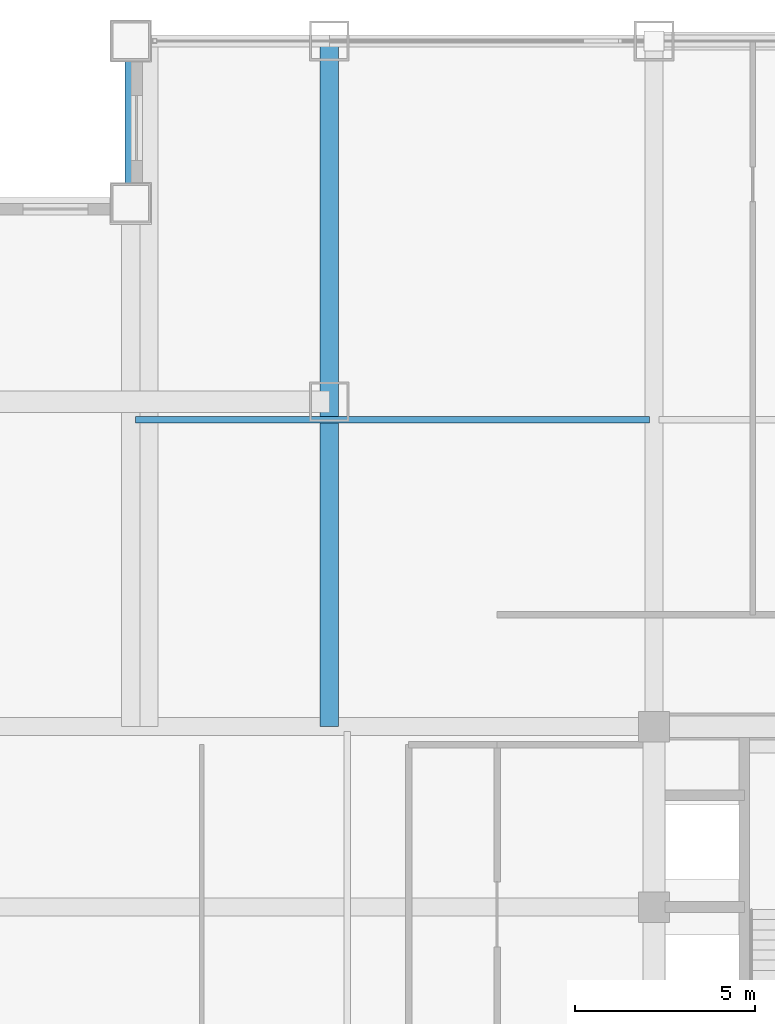
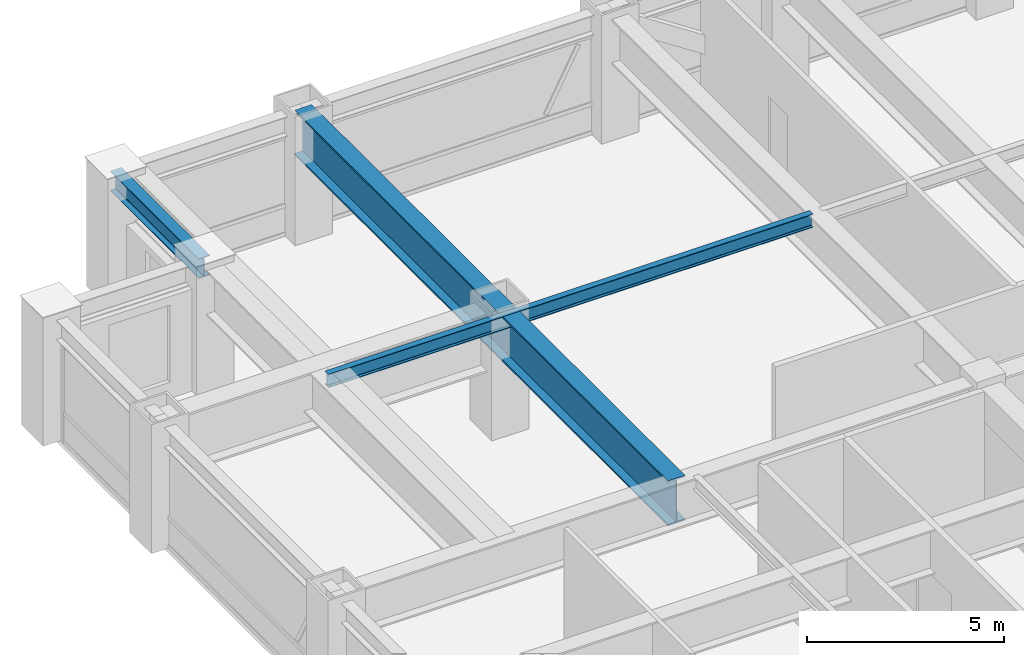
# One storey, part 13 of 26: 3 beams.
"""IFC4 building model written with IfcOpenShell, lengths in metres."""

from ifc_helpers import new_model, si_unit, direction, frame, origin, origin_2d, place, context, subcontext, project, spatial, i_section, extrude, source, transform, mapped, material, material_profile, profile_set, type_object, element, save


model = new_model("IFC4")

# Units and contexts
model_context = context("Model", 3, precision=1e-05, world=origin(), true_north=direction((0.0, 1.0)))
body_context = subcontext(model_context, "Body", "Model", "MODEL_VIEW")
ifc_project = project(units=[si_unit("LENGTHUNIT", "METRE"), si_unit("AREAUNIT", "SQUARE_METRE"), si_unit("VOLUMEUNIT", "CUBIC_METRE"), si_unit("PLANEANGLEUNIT", "RADIAN"), si_unit("MASSUNIT", "GRAM", prefix="KILO")], contexts=[model_context])

# Site, building, storey
site_placement = place(None, origin())
site = spatial("IfcSite", under=ifc_project, at=site_placement, CompositionType="ELEMENT")
building_placement = place(site_placement, origin())
building = spatial("IfcBuilding", under=site, at=building_placement, Name="Khorayat Bourse Tower", CompositionType="ELEMENT")
storey_placement = place(building_placement, frame((0.0, 0.0, 207.10009765625)))
storey = spatial("IfcBuildingStorey", under=building, at=storey_placement, Name="L48", CompositionType="ELEMENT", Elevation=207.10009765625)

# Beams
ifc_material_1 = material(Name="Steel ASTM A992 Grade 50", Category="steel")
ifc_material_profile_1 = material_profile(ifc_material_1, i_section(OverallWidth=0.180908203125, OverallDepth=0.4169921875, WebThickness=0.010986328125, FlangeThickness=0.018310546875, FilletRadius=0.011962890625, at=origin_2d()), Name="W410X85")
ifc_profile_set_1 = profile_set([ifc_material_profile_1], Name="Steel ASTM A992 Grade 50")
beam_type_1 = type_object("IfcBeamType", Name="BM-JOIST-410", PredefinedType="JOIST", material=ifc_profile_set_1)
shared_shape_1 = source(origin(), body_context, "Body", "SweptSolid", [
    extrude(i_section(OverallWidth=0.180908203125, OverallDepth=0.4169921875, WebThickness=0.010986328125, FlangeThickness=0.018310546875, FilletRadius=0.011962890625, at=origin_2d()), origin(), (0.0, 0.0, 1.0), 14.240234375),
])
beam_1_placement = place(storey_placement, frame((-25.3701171875, 19.5, 3.5712890625), z_axis=(1.0, 0.0, 0.0), x_axis=(0.0, 1.0, 0.0)))
element("IfcBeam", 1, at=beam_1_placement, inside=storey, type_object=beam_type_1, Name="L48 BM-JOIST-410 BM-L48-JSTX-107", PredefinedType="JOIST", context=body_context, shape_type="MappedRepresentation", body=[
    mapped(shared_shape_1, transform((0.0, 0.0, 0.0), scale=1.0)),
])
ifc_material_profile_2 = material_profile(ifc_material_1, i_section(OverallWidth=0.324951171875, OverallDepth=0.615966796875, WebThickness=0.013916015625, FlangeThickness=0.021484375, FilletRadius=0.01611328125, at=origin_2d()), Name="W610X174")
ifc_profile_set_2 = profile_set([ifc_material_profile_2], Name="Steel ASTM A992 Grade 50")
beam_type_2 = type_object("IfcBeamType", Name="BM-SPAN-610", PredefinedType="SPANDREL", material=ifc_profile_set_2)
shared_shape_2 = source(origin(), body_context, "Body", "SweptSolid", [
    extrude(i_section(OverallWidth=0.324951171875, OverallDepth=0.615966796875, WebThickness=0.013916015625, FlangeThickness=0.021484375, FilletRadius=0.01611328125, at=origin_2d()), origin(), (0.0, 0.0, 1.0), 4.5),
])
beam_2_placement = place(storey_placement, frame((-25.5, 25.5, 3.471923828125), z_axis=(0.0, 1.0, 0.0), x_axis=(-1.0, 0.0, 0.0)))
element("IfcBeam", 2, at=beam_2_placement, inside=storey, type_object=beam_type_2, Name="L48 BM-SPAN-610 BM-L48-SPN-052", PredefinedType="SPANDREL", context=body_context, shape_type="MappedRepresentation", body=[
    mapped(shared_shape_2, transform((0.0, 0.0, 0.0), scale=1.0)),
])
ifc_material_2 = material(Name="Steel EN 10025-4 S460M", Category="steel")
ifc_material_profile_3 = material_profile(ifc_material_2, i_section(OverallWidth=0.5, OverallDepth=1.39990234375, WebThickness=0.02490234375, FlangeThickness=0.050048828125, at=origin_2d()), Name="PG 1400x500x25x50")
ifc_profile_set_3 = profile_set([ifc_material_profile_3], Name="Steel EN 10025-4 S460M")
beam_type_3 = type_object("IfcBeamType", Name="BM-TR-1400", PredefinedType="BEAM", material=ifc_profile_set_3)
shared_shape_3 = source(origin(), body_context, "Body", "SweptSolid", [
    extrude(i_section(OverallWidth=0.5, OverallDepth=1.39990234375, WebThickness=0.02490234375, FlangeThickness=0.050048828125, at=origin_2d()), origin(), (0.0, 0.0, 1.0), 19.0),
])
beam_3_placement = place(storey_placement, frame((-20.0, 11.0, 3.079833984375), z_axis=(0.0, 1.0, 0.0), x_axis=(-1.0, 0.0, 0.0)))
element("IfcBeam", 3, at=beam_3_placement, inside=storey, type_object=beam_type_3, Name="L48 BM-TR-1400 BM-L48-CNRY-085", PredefinedType="BEAM", context=body_context, shape_type="MappedRepresentation", body=[
    mapped(shared_shape_3, transform((0.0, 0.0, 0.0), scale=1.0)),
])

save(model, "model.ifc")
